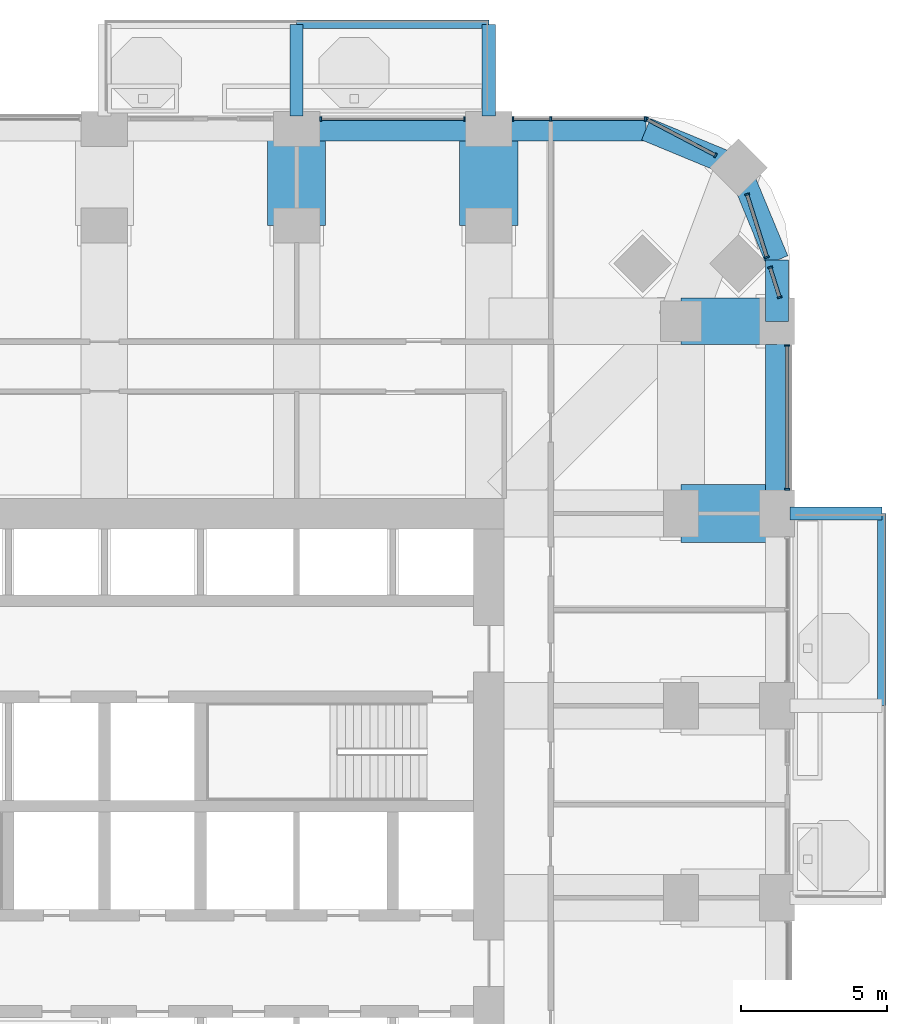
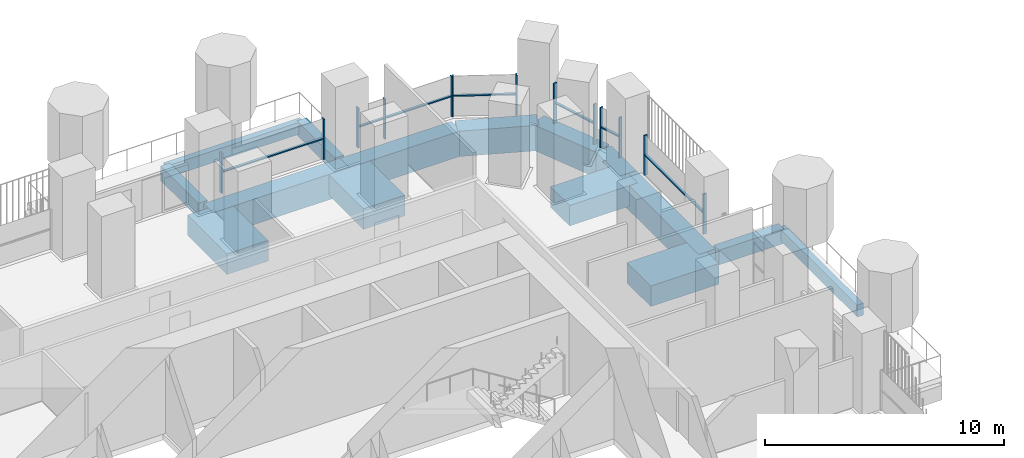
# One storey, part 8 of 22: 20 members, 15 beams, 6 elements without a shape of their own.
"""IFC4 building model written with IfcOpenShell, lengths in metres."""

from ifc_helpers import new_model, si_unit, direction, frame, origin, origin_2d, place, context, subcontext, project, spatial, rectangle, extrude, material, material_profile, profile_set, type_object, element, aggregate, save


model = new_model("IFC4")

# Units and contexts
model_context = context("Model", 3, precision=1e-05, world=origin(), true_north=direction((0.0, 1.0)))
body_context = subcontext(model_context, "Body", "Model", "MODEL_VIEW")
ifc_project = project(units=[si_unit("LENGTHUNIT", "METRE"), si_unit("AREAUNIT", "SQUARE_METRE"), si_unit("VOLUMEUNIT", "CUBIC_METRE"), si_unit("PLANEANGLEUNIT", "RADIAN"), si_unit("MASSUNIT", "GRAM", prefix="KILO")], contexts=[model_context])

# Site, building, storey
site_placement = place(None, origin())
site = spatial("IfcSite", under=ifc_project, at=site_placement, CompositionType="ELEMENT")
building_placement = place(site_placement, origin())
building = spatial("IfcBuilding", under=site, at=building_placement, Name="Cobogo Forest Laboratory Tower", CompositionType="ELEMENT")
storey_placement = place(building_placement, frame((0.0, 0.0, 145.199951171875)))
storey = spatial("IfcBuildingStorey", under=building, at=storey_placement, Name="L33", CompositionType="ELEMENT", Elevation=145.199951171875)

# Beams
ifc_material_1 = material(Name="Concrete HA-40 (C40/50)", Category="concrete")
ifc_material_profile_1 = material_profile(ifc_material_1, rectangle(XDim=0.449951171875, YDim=0.75, at=origin_2d()), Name="RC 450x750")
ifc_profile_set_1 = profile_set([ifc_material_profile_1], Name="Concrete HA-40 (C40/50)")
beam_type_1 = type_object("IfcBeamType", Name="Balcony cantilever beam 450x750", PredefinedType="BEAM", material=ifc_profile_set_1)
for number, where, z_axis, x_axis, name in (
    (1, (49.949951171875, 33.0, -0.625), (1.0, 0.0, 0.0), (0.0, 1.0, 0.0), "CB1 BAL-E1-C3 L33"),
    (2, (33.0, 46.64990234375, -0.625), (0.0, 1.0, 0.0), (-1.0, 0.0, 0.0), "CB1 BAL-N1-C2 L33"),
    (3, (39.60009765625, 46.64990234375, -0.625), (0.0, 1.0, 0.0), (-1.0, 0.0, 0.0), "CB1 BAL-N1-C3 L33"),
):
    element("IfcBeam", number, at=place(storey_placement, frame(where, z_axis=z_axis, x_axis=x_axis)), inside=storey, type_object=beam_type_1, Name=name, PredefinedType="BEAM", context=body_context, shape_type="SweptSolid", body=[
        extrude(rectangle(XDim=0.449951171875, YDim=0.75, at=origin_2d()), origin(), (0.0, 0.0, 1.0), 3.150146484375),
    ])
ifc_material_profile_2 = material_profile(ifc_material_1, rectangle(XDim=0.300048828125, YDim=0.60009765625, at=origin_2d()), Name="RC 300x600")
ifc_profile_set_2 = profile_set([ifc_material_profile_2], Name="Concrete HA-40 (C40/50)")
beam_type_2 = type_object("IfcBeamType", Name="Balcony edge beam 300x600", PredefinedType="BEAM", material=ifc_profile_set_2)
for number, where, z_axis, x_axis, name in (
    (4, (53.10009765625, 26.39990234375, -0.550048828125), (0.0, 1.0, 0.0), (-1.0, 0.0, 0.0), "BB1 BAL-E1-T2 L33"),
    (5, (33.0, 49.800048828125, -0.550048828125), (1.0, 0.0, 0.0), (0.0, 1.0, 0.0), "BB1 BAL-N1-T2 L33"),
):
    element("IfcBeam", number, at=place(storey_placement, frame(where, z_axis=z_axis, x_axis=x_axis)), inside=storey, type_object=beam_type_2, Name=name, PredefinedType="BEAM", context=body_context, shape_type="SweptSolid", body=[
        extrude(rectangle(XDim=0.300048828125, YDim=0.60009765625, at=origin_2d()), origin(), (0.0, 0.0, 1.0), 6.60009765625),
    ])
ifc_material_2 = material(Name="Concrete HA-50 (C50/60)", Category="concrete")
ifc_material_profile_3 = material_profile(ifc_material_2, rectangle(XDim=2.0, YDim=1.050048828125, at=origin_2d()), Name="RC 2000x1050")
ifc_profile_set_3 = profile_set([ifc_material_profile_3], Name="Concrete HA-50 (C50/60)")
beam_type_3 = type_object("IfcBeamType", Name="End-bay wide beam 2000x1050", PredefinedType="BEAM", material=ifc_profile_set_3)
for number, where, z_axis, x_axis, name in (
    (6, (33.0, 46.199951171875, -0.824951171875), (0.0, -1.0, 0.0), (1.0, 0.0, 0.0), "RB7 R-6-N-X L33"),
    (7, (39.60009765625, 46.199951171875, -0.824951171875), (0.0, -1.0, 0.0), (1.0, 0.0, 0.0), "RB7 R-7-N-X L33"),
    (8, (49.5, 33.0, -0.824951171875), (-1.0, 0.0, 0.0), (0.0, -1.0, 0.0), "RB7 R-F-E-X L33"),
):
    element("IfcBeam", number, at=place(storey_placement, frame(where, z_axis=z_axis, x_axis=x_axis)), inside=storey, type_object=beam_type_3, Name=name, PredefinedType="BEAM", context=body_context, shape_type="SweptSolid", body=[
        extrude(rectangle(XDim=2.0, YDim=1.050048828125, at=origin_2d()), origin(), (0.0, 0.0, 1.0), 3.300048828125),
    ])
ifc_material_profile_4 = material_profile(ifc_material_2, rectangle(XDim=1.60009765625, YDim=1.050048828125, at=origin_2d()), Name="RC 1600x1050")
ifc_profile_set_4 = profile_set([ifc_material_profile_4], Name="Concrete HA-50 (C50/60)")
beam_type_4 = type_object("IfcBeamType", Name="Laboratory floor wide beam 1600x1050", PredefinedType="BEAM", material=ifc_profile_set_4)
beam_1_placement = place(storey_placement, frame((49.5, 39.60009765625, -0.824951171875), z_axis=(-1.0, 0.0, 0.0), x_axis=(0.0, -1.0, 0.0)))
element("IfcBeam", 9, at=beam_1_placement, inside=storey, type_object=beam_type_4, Name="RB8 G-NE-YF L33", PredefinedType="BEAM", context=body_context, shape_type="SweptSolid", body=[
    extrude(rectangle(XDim=1.60009765625, YDim=1.050048828125, at=origin_2d()), origin(), (0.0, 0.0, 1.0), 3.300048828125),
])

# Curtain wall, members
ifc_material_3 = material(Name="Aluminium curtain wall", Category="aluminium")
curtain_wall_type = type_object("IfcCurtainWallType", Name="CW-1 unitised curtain wall, clear glazing, laboratory floors zones A and B", PredefinedType="USERDEFINED", material=ifc_material_3)
curtain_wall_1_placement = place(storey_placement, origin())
curtain_wall_1 = element("IfcCurtainWall", 10, at=curtain_wall_1_placement, inside=storey, type_object=curtain_wall_type, Name="Curtain wall 14 L33", ObjectType="UNITISED CURTAIN WALL", PredefinedType="USERDEFINED")
ifc_material_4 = material(Name="Aluminium mullion", Category="aluminium")
ifc_material_profile_5 = material_profile(ifc_material_4, rectangle(XDim=0.06005859375, YDim=0.159912109375, at=origin_2d()), Name="AL 60x160")
ifc_profile_set_5 = profile_set([ifc_material_profile_5], Name="Aluminium mullion")
member_type_1 = type_object("IfcMemberType", Name="MU-1 aluminium mullion 60x160", PredefinedType="MULLION", material=ifc_profile_set_5)
member_1_placement = place(storey_placement, frame((49.85009765625, 33.830078125, 0.0), z_axis=(0.0, 0.0, 1.0), x_axis=(0.0, 1.0, 0.0)))
member_1 = element("IfcMember", 11, at=member_1_placement, type_object=member_type_1, Name="CW-1 mullion 1", PredefinedType="MULLION", context=body_context, shape_type="SweptSolid", body=[
    extrude(rectangle(XDim=0.06005859375, YDim=0.159912109375, at=origin_2d()), origin(), (0.0, 0.0, 1.0), 2.050048828125),
])
member_2_placement = place(storey_placement, frame((49.85009765625, 38.77001953125, 0.0), z_axis=(0.0, 0.0, 1.0), x_axis=(0.0, 1.0, 0.0)))
member_2 = element("IfcMember", 12, at=member_2_placement, type_object=member_type_1, Name="CW-1 mullion 2", PredefinedType="MULLION", context=body_context, shape_type="SweptSolid", body=[
    extrude(rectangle(XDim=0.06005859375, YDim=0.159912109375, at=origin_2d()), origin(), (0.0, 0.0, 1.0), 2.050048828125),
])

curtain_wall_2_placement = place(storey_placement, origin())
curtain_wall_2 = element("IfcCurtainWall", 13, at=curtain_wall_2_placement, inside=storey, type_object=curtain_wall_type, Name="Curtain wall 15 L33", ObjectType="UNITISED CURTAIN WALL", PredefinedType="USERDEFINED")
member_3_placement = place(storey_placement, frame((49.58837890625, 40.4287109375, 0.0), z_axis=(0.0, 0.0, 1.0), x_axis=(-0.3011355018, 0.953581359694, 0.0)))
member_3 = element("IfcMember", 14, at=member_3_placement, type_object=member_type_1, Name="CW-1 mullion 1", PredefinedType="MULLION", context=body_context, shape_type="SweptSolid", body=[
    extrude(rectangle(XDim=0.06005859375, YDim=0.159912109375, at=origin_2d()), origin(), (0.0, 0.0, 1.0), 2.050048828125),
])
member_4_placement = place(storey_placement, frame((49.2646484375, 41.453369140625, 0.0), z_axis=(0.0, 0.0, 1.0), x_axis=(-0.3011355018, 0.953581359694, 0.0)))
member_4 = element("IfcMember", 15, at=member_4_placement, type_object=member_type_1, Name="CW-1 mullion 2", PredefinedType="MULLION", context=body_context, shape_type="SweptSolid", body=[
    extrude(rectangle(XDim=0.06005859375, YDim=0.159912109375, at=origin_2d()), origin(), (0.0, 0.0, 1.0), 2.050048828125),
])

curtain_wall_3_placement = place(storey_placement, origin())
curtain_wall_3 = element("IfcCurtainWall", 16, at=curtain_wall_3_placement, inside=storey, type_object=curtain_wall_type, Name="Curtain wall 16 L33", ObjectType="UNITISED CURTAIN WALL", PredefinedType="USERDEFINED")
member_5_placement = place(storey_placement, frame((49.154296875, 41.802978515625, 0.0), z_axis=(0.0, 0.0, 1.0), x_axis=(-0.301135343623, 0.953581409645, 0.0)))
member_5 = element("IfcMember", 17, at=member_5_placement, type_object=member_type_1, Name="CW-1 mullion 1", PredefinedType="MULLION", context=body_context, shape_type="SweptSolid", body=[
    extrude(rectangle(XDim=0.06005859375, YDim=0.159912109375, at=origin_2d()), origin(), (0.0, 0.0, 1.0), 2.050048828125),
])
member_6_placement = place(storey_placement, frame((48.47265625, 43.961181640625, 0.0), z_axis=(0.0, 0.0, 1.0), x_axis=(-0.301135343623, 0.953581409645, 0.0)))
member_6 = element("IfcMember", 18, at=member_6_placement, type_object=member_type_1, Name="CW-1 mullion 2", PredefinedType="MULLION", context=body_context, shape_type="SweptSolid", body=[
    extrude(rectangle(XDim=0.06005859375, YDim=0.159912109375, at=origin_2d()), origin(), (0.0, 0.0, 1.0), 2.050048828125),
])

curtain_wall_4_placement = place(storey_placement, origin())
curtain_wall_4 = element("IfcCurtainWall", 19, at=curtain_wall_4_placement, inside=storey, type_object=curtain_wall_type, Name="Curtain wall 17 L33", ObjectType="UNITISED CURTAIN WALL", PredefinedType="USERDEFINED")
member_7_placement = place(storey_placement, frame((47.38525390625, 45.299560546875, 0.0), z_axis=(0.0, 0.0, 1.0), x_axis=(-0.885686540666, 0.464283697413, 0.0)))
member_7 = element("IfcMember", 20, at=member_7_placement, type_object=member_type_1, Name="CW-1 mullion 1", PredefinedType="MULLION", context=body_context, shape_type="SweptSolid", body=[
    extrude(rectangle(XDim=0.06005859375, YDim=0.159912109375, at=origin_2d()), origin(), (0.0, 0.0, 1.0), 2.050048828125),
])
member_8_placement = place(storey_placement, frame((45.026611328125, 46.5361328125, 0.0), z_axis=(0.0, 0.0, 1.0), x_axis=(-0.885686540666, 0.464283697413, 0.0)))
member_8 = element("IfcMember", 21, at=member_8_placement, type_object=member_type_1, Name="CW-1 mullion 2", PredefinedType="MULLION", context=body_context, shape_type="SweptSolid", body=[
    extrude(rectangle(XDim=0.06005859375, YDim=0.159912109375, at=origin_2d()), origin(), (0.0, 0.0, 1.0), 2.050048828125),
])

curtain_wall_5_placement = place(storey_placement, origin())
curtain_wall_5 = element("IfcCurtainWall", 22, at=curtain_wall_5_placement, inside=storey, type_object=curtain_wall_type, Name="Curtain wall 18 L33", ObjectType="UNITISED CURTAIN WALL", PredefinedType="USERDEFINED")
member_9_placement = place(storey_placement, frame((44.969970703125, 46.550048828125, 0.0), z_axis=(0.0, 0.0, 1.0), x_axis=(-1.0, 0.0, 0.0)))
member_9 = element("IfcMember", 23, at=member_9_placement, type_object=member_type_1, Name="CW-1 mullion 1", PredefinedType="MULLION", context=body_context, shape_type="SweptSolid", body=[
    extrude(rectangle(XDim=0.06005859375, YDim=0.159912109375, at=origin_2d()), origin(), (0.0, 0.0, 1.0), 2.050048828125),
])
member_10_placement = place(storey_placement, frame((41.72509765625, 46.550048828125, 0.0), z_axis=(0.0, 0.0, 1.0), x_axis=(-1.0, 0.0, 0.0)))
member_10 = element("IfcMember", 24, at=member_10_placement, type_object=member_type_1, Name="CW-1 mullion 2", PredefinedType="MULLION", context=body_context, shape_type="SweptSolid", body=[
    extrude(rectangle(XDim=0.06005859375, YDim=0.159912109375, at=origin_2d()), origin(), (0.0, 0.0, 1.0), 2.050048828125),
])
member_11_placement = place(storey_placement, frame((40.429931640625, 46.550048828125, 0.0), z_axis=(0.0, 0.0, 1.0), x_axis=(-1.0, 0.0, 0.0)))
member_11 = element("IfcMember", 25, at=member_11_placement, type_object=member_type_1, Name="CW-1 mullion 3", PredefinedType="MULLION", context=body_context, shape_type="SweptSolid", body=[
    extrude(rectangle(XDim=0.06005859375, YDim=0.159912109375, at=origin_2d()), origin(), (0.0, 0.0, 1.0), 2.050048828125),
])

curtain_wall_6_placement = place(storey_placement, origin())
curtain_wall_6 = element("IfcCurtainWall", 26, at=curtain_wall_6_placement, inside=storey, type_object=curtain_wall_type, Name="Curtain wall 19 L33", ObjectType="UNITISED CURTAIN WALL", PredefinedType="USERDEFINED")
member_12_placement = place(storey_placement, frame((38.77001953125, 46.550048828125, 0.0), z_axis=(0.0, 0.0, 1.0), x_axis=(-1.0, 0.0, 0.0)))
member_12 = element("IfcMember", 27, at=member_12_placement, type_object=member_type_1, Name="CW-1 mullion 1", PredefinedType="MULLION", context=body_context, shape_type="SweptSolid", body=[
    extrude(rectangle(XDim=0.06005859375, YDim=0.159912109375, at=origin_2d()), origin(), (0.0, 0.0, 1.0), 2.050048828125),
])
member_13_placement = place(storey_placement, frame((33.830078125, 46.550048828125, 0.0), z_axis=(0.0, 0.0, 1.0), x_axis=(-1.0, 0.0, 0.0)))
member_13 = element("IfcMember", 28, at=member_13_placement, type_object=member_type_1, Name="CW-1 mullion 2", PredefinedType="MULLION", context=body_context, shape_type="SweptSolid", body=[
    extrude(rectangle(XDim=0.06005859375, YDim=0.159912109375, at=origin_2d()), origin(), (0.0, 0.0, 1.0), 2.050048828125),
])

# Beams
ifc_material_profile_6 = material_profile(ifc_material_1, rectangle(XDim=0.800048828125, YDim=1.300048828125, at=origin_2d()), Name="RC 800x1300")
ifc_profile_set_6 = profile_set([ifc_material_profile_6], Name="Concrete HA-40 (C40/50)")
beam_type_5 = type_object("IfcBeamType", Name="Perimeter edge beam 800x1300", PredefinedType="BEAM", material=ifc_profile_set_6)
for number, where, z_axis, x_axis, name in (
    (29, (49.5, 33.0, -0.949951171875), (0.0, 1.0, 0.0), (-1.0, 0.0, 0.0), "EB2 E-E5 L33"),
    (30, (33.0, 46.199951171875, -0.949951171875), (1.0, 0.0, 0.0), (0.0, 1.0, 0.0), "EB2 E-N4 L33"),
):
    element("IfcBeam", number, at=place(storey_placement, frame(where, z_axis=z_axis, x_axis=x_axis)), inside=storey, type_object=beam_type_5, Name=name, PredefinedType="BEAM", context=body_context, shape_type="SweptSolid", body=[
        extrude(rectangle(XDim=0.800048828125, YDim=1.300048828125, at=origin_2d()), origin(), (0.0, 0.0, 1.0), 6.60009765625),
    ])
beam_2_placement = place(storey_placement, frame((49.5, 39.60009765625, -0.949951171875), z_axis=(0.0, 1.0, 0.0), x_axis=(-1.0, 0.0, 0.0)))
element("IfcBeam", 31, at=beam_2_placement, inside=storey, type_object=beam_type_5, Name="EB2 E-NEE1 L33", PredefinedType="BEAM", context=body_context, shape_type="SweptSolid", body=[
    extrude(rectangle(XDim=0.800048828125, YDim=1.300048828125, at=origin_2d()), origin(), (0.0, 0.0, 1.0), 2.099853515625),
])
beam_3_placement = place(storey_placement, frame((49.5, 41.699951171875, -0.949951171875), z_axis=(-0.382691928466, 0.923876013265, 0.0), x_axis=(-0.923876013265, -0.382691928466, 0.0)))
element("IfcBeam", 32, at=beam_3_placement, inside=storey, type_object=beam_type_5, Name="EB2 E-NEE2 L33", PredefinedType="BEAM", context=body_context, shape_type="SweptSolid", body=[
    extrude(rectangle(XDim=0.800048828125, YDim=1.300048828125, at=origin_2d()), origin(), (0.0, 0.0, 1.0), 3.4443359375),
])
beam_4_placement = place(storey_placement, frame((39.60009765625, 46.199951171875, -0.949951171875), z_axis=(1.0, 0.0, 0.0), x_axis=(0.0, 1.0, 0.0)))
element("IfcBeam", 33, at=beam_4_placement, inside=storey, type_object=beam_type_5, Name="EB2 E-NEN1 L33", PredefinedType="BEAM", context=body_context, shape_type="SweptSolid", body=[
    extrude(rectangle(XDim=0.800048828125, YDim=1.300048828125, at=origin_2d()), origin(), (0.0, 0.0, 1.0), 5.39990234375),
])
beam_5_placement = place(storey_placement, frame((45.0, 46.199951171875, -0.949951171875), z_axis=(0.923890694089, -0.382656484822, 0.0), x_axis=(0.382656484822, 0.923890694089, 0.0)))
element("IfcBeam", 34, at=beam_5_placement, inside=storey, type_object=beam_type_5, Name="EB2 E-NEN2 L33", PredefinedType="BEAM", context=body_context, shape_type="SweptSolid", body=[
    extrude(rectangle(XDim=0.800048828125, YDim=1.300048828125, at=origin_2d()), origin(), (0.0, 0.0, 1.0), 3.444091796875),
])

# Member
ifc_material_5 = material(Name="Aluminium transom", Category="aluminium")
ifc_material_profile_7 = material_profile(ifc_material_5, rectangle(XDim=0.1201171875, YDim=0.06005859375, at=origin_2d()), Name="AL 60x120")
ifc_profile_set_7 = profile_set([ifc_material_profile_7], Name="Aluminium transom")
member_type_2 = type_object("IfcMemberType", Name="TR-1 aluminium transom 60x120", PredefinedType="USERDEFINED", material=ifc_profile_set_7)
member_14_placement = place(storey_placement, frame((49.85009765625, 33.860107421875, 1.050048828125), z_axis=(0.0, 1.0, 0.0), x_axis=(-1.0, 0.0, 0.0)))
member_14 = element("IfcMember", 35, at=member_14_placement, type_object=member_type_2, Name="CW-1 transom 1.1", ObjectType="TRANSOM", PredefinedType="USERDEFINED", context=body_context, shape_type="SweptSolid", body=[
    extrude(rectangle(XDim=0.1201171875, YDim=0.06005859375, at=origin_2d()), origin(), (0.0, 0.0, 1.0), 4.8798828125),
])

aggregate(curtain_wall_1, [member_1, member_2, member_14])

member_15_placement = place(storey_placement, frame((49.579345703125, 40.457275390625, 1.050048828125), z_axis=(-0.301246520212, 0.953546293611, 0.0), x_axis=(-0.953546293611, -0.301246520212, 0.0)))
member_15 = element("IfcMember", 36, at=member_15_placement, type_object=member_type_2, Name="CW-1 transom 1.1", ObjectType="TRANSOM", PredefinedType="USERDEFINED", context=body_context, shape_type="SweptSolid", body=[
    extrude(rectangle(XDim=0.1201171875, YDim=0.06005859375, at=origin_2d()), origin(), (0.0, 0.0, 1.0), 1.0146484375),
])

aggregate(curtain_wall_2, [member_3, member_4, member_15])

member_16_placement = place(storey_placement, frame((49.145263671875, 41.83154296875, 1.050048828125), z_axis=(-0.301163185322, 0.953572616955, 0.0), x_axis=(-0.953572616955, -0.301163185322, 0.0)))
member_16 = element("IfcMember", 37, at=member_16_placement, type_object=member_type_2, Name="CW-1 transom 1.1", ObjectType="TRANSOM", PredefinedType="USERDEFINED", context=body_context, shape_type="SweptSolid", body=[
    extrude(rectangle(XDim=0.1201171875, YDim=0.06005859375, at=origin_2d()), origin(), (0.0, 0.0, 1.0), 2.203369140625),
])

aggregate(curtain_wall_3, [member_5, member_6, member_16])

member_17_placement = place(storey_placement, frame((47.358642578125, 45.3134765625, 1.050048828125), z_axis=(-0.885651566966, 0.464350408562, 0.0), x_axis=(-0.464350408562, -0.885651566966, 0.0)))
member_17 = element("IfcMember", 38, at=member_17_placement, type_object=member_type_2, Name="CW-1 transom 1.1", ObjectType="TRANSOM", PredefinedType="USERDEFINED", context=body_context, shape_type="SweptSolid", body=[
    extrude(rectangle(XDim=0.1201171875, YDim=0.06005859375, at=origin_2d()), origin(), (0.0, 0.0, 1.0), 2.60302734375),
])

aggregate(curtain_wall_4, [member_7, member_8, member_17])

member_18_placement = place(storey_placement, frame((44.93994140625, 46.550048828125, 1.050048828125), z_axis=(-1.0, 0.0, 0.0), x_axis=(0.0, -1.0, 0.0)))
member_18 = element("IfcMember", 39, at=member_18_placement, type_object=member_type_2, Name="CW-1 transom 1.1", ObjectType="TRANSOM", PredefinedType="USERDEFINED", context=body_context, shape_type="SweptSolid", body=[
    extrude(rectangle(XDim=0.1201171875, YDim=0.06005859375, at=origin_2d()), origin(), (0.0, 0.0, 1.0), 3.18505859375),
])

member_19_placement = place(storey_placement, frame((41.695068359375, 46.550048828125, 1.050048828125), z_axis=(-1.0, 0.0, 0.0), x_axis=(0.0, -1.0, 0.0)))
member_19 = element("IfcMember", 40, at=member_19_placement, type_object=member_type_2, Name="CW-1 transom 2.1", ObjectType="TRANSOM", PredefinedType="USERDEFINED", context=body_context, shape_type="SweptSolid", body=[
    extrude(rectangle(XDim=0.1201171875, YDim=0.06005859375, at=origin_2d()), origin(), (0.0, 0.0, 1.0), 1.235107421875),
])

aggregate(curtain_wall_5, [member_9, member_10, member_11, member_18, member_19])

member_20_placement = place(storey_placement, frame((38.739990234375, 46.550048828125, 1.050048828125), z_axis=(-1.0, 0.0, 0.0), x_axis=(0.0, -1.0, 0.0)))
member_20 = element("IfcMember", 41, at=member_20_placement, type_object=member_type_2, Name="CW-1 transom 1.1", ObjectType="TRANSOM", PredefinedType="USERDEFINED", context=body_context, shape_type="SweptSolid", body=[
    extrude(rectangle(XDim=0.1201171875, YDim=0.06005859375, at=origin_2d()), origin(), (0.0, 0.0, 1.0), 4.8798828125),
])

aggregate(curtain_wall_6, [member_12, member_13, member_20])

save(model, "model.ifc")
